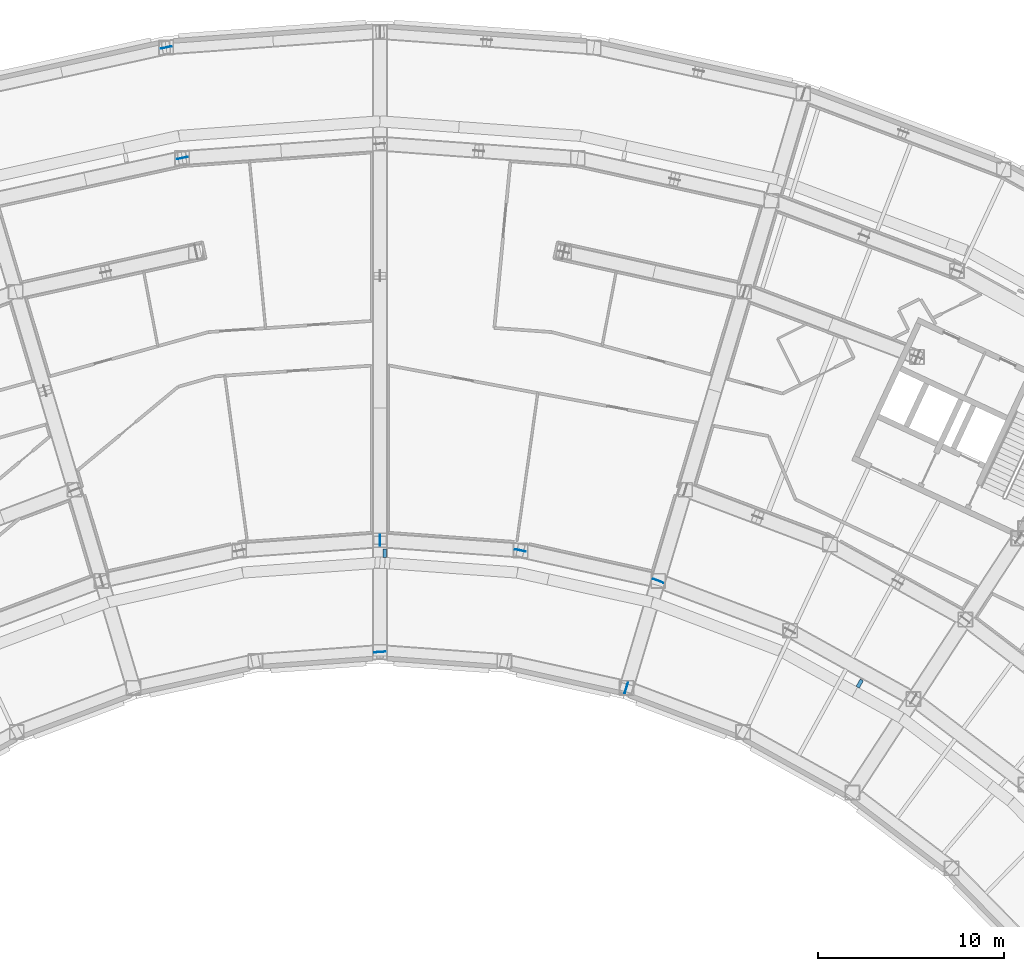
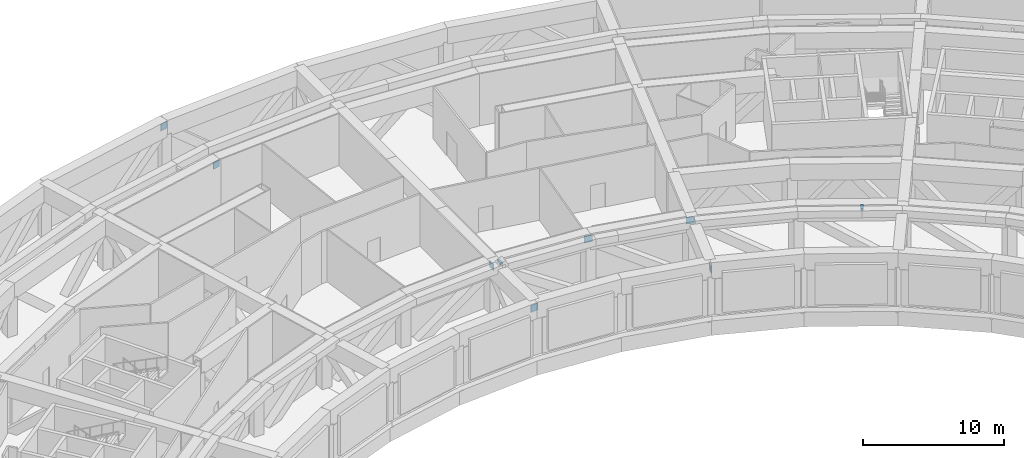
# One storey, part 22 of 30: 9 discrete accessories.
"""IFC4 building model written with IfcOpenShell, lengths in metres."""

from ifc_helpers import new_model, si_unit, direction, frame, origin, origin_2d, place, context, subcontext, project, spatial, rectangle, extrude, material, type_object, element, save


model = new_model("IFC4")

# Units and contexts
model_context = context("Model", 3, precision=1e-05, world=origin(), true_north=direction((0.0, 1.0)))
body_context = subcontext(model_context, "Body", "Model", "MODEL_VIEW")
ifc_project = project(units=[si_unit("LENGTHUNIT", "METRE"), si_unit("AREAUNIT", "SQUARE_METRE"), si_unit("VOLUMEUNIT", "CUBIC_METRE"), si_unit("PLANEANGLEUNIT", "RADIAN"), si_unit("MASSUNIT", "GRAM", prefix="KILO")], contexts=[model_context])

# Site, building, storey
site_placement = place(None, origin())
site = spatial("IfcSite", under=ifc_project, at=site_placement, CompositionType="ELEMENT")
building_placement = place(site_placement, origin())
building = spatial("IfcBuilding", under=site, at=building_placement, Name="Tuul Gate Civic Tower", CompositionType="ELEMENT")
storey_placement = place(building_placement, frame((0.0, 0.0, 26.699951171875)))
storey = spatial("IfcBuildingStorey", under=building, at=storey_placement, Name="Plant and refuge floor 1", CompositionType="ELEMENT", Elevation=26.699951171875)

# Discrete accessories
ifc_material_1 = material(Name="Steel S355", Category="steel")
discrete_accessory_type_1 = type_object("IfcDiscreteAccessoryType", Name="Gusset plate", PredefinedType="BRACKET", material=ifc_material_1)
for number, where, z_axis, x_axis, name in (
    (1, (0.0, -7.45703125, 3.5029296875), (0.0, 0.0, 1.0), (0.0, 1.0, 0.0), "Gusset plate"),
    (2, (13.267578125, -15.4072265625, 3.5029296875), (0.0, 0.0, 1.0), (0.28519561857, 0.958469331355, 0.0), "Gusset plate"),
    (3, (-11.51611328125, 19.080322265625, 3.503173828125), (0.0, 0.0, 1.0), (-0.976566621246, -0.215215320711, 0.0), "Gusset plate"),
    (4, (-10.64892578125, 13.127197265625, 3.50341796875), (0.0, 0.0, 1.0), (-0.97656894253, -0.215204787319, 0.0), "Gusset plate"),
    (5, (0.0, -13.47265625, 3.5029296875), (0.0, 0.0, 1.0), (-0.99738339655, -0.072293570154, 0.0), "Gusset plate"),
    (6, (7.56787109375, -8.005126953125, 3.502685546875), (0.0, 0.0, 1.0), (0.97656368755, -0.215228632292, 0.0), "Gusset plate"),
    (7, (14.982177734375, -9.638427734375, 3.502685546875), (0.0, 0.0, 1.0), (0.935367540469, -0.353677203444, 0.0), "Gusset plate"),
):
    element("IfcDiscreteAccessory", number, at=place(storey_placement, frame(where, z_axis=z_axis, x_axis=x_axis)), inside=storey, type_object=discrete_accessory_type_1, Name=name, PredefinedType="BRACKET", context=body_context, shape_type="SweptSolid", body=[
        extrude(rectangle(XDim=0.60009765625, YDim=0.030029296875, at=origin_2d()), origin(), (0.0, 0.0, 1.0), 0.60009765625),
    ])
ifc_material_2 = material(Name="Stainless steel", Category="steel")
discrete_accessory_type_2 = type_object("IfcDiscreteAccessoryType", Name="Screen bracket", PredefinedType="BRACKET", material=ifc_material_2)
discrete_accessory_1_placement = place(storey_placement, frame((0.264892578125, -8.15380859375, 4.35009765625), z_axis=(0.0, 0.0, 1.0), x_axis=(-0.0051085565, -0.99998695124, 0.0)))
element("IfcDiscreteAccessory", 8, at=discrete_accessory_1_placement, inside=storey, type_object=discrete_accessory_type_2, Name="Screen bracket 25", PredefinedType="BRACKET", context=body_context, shape_type="SweptSolid", body=[
    extrude(rectangle(XDim=0.450927734375, YDim=0.199951171875, at=origin_2d()), origin(), (0.0, 0.0, 1.0), 0.199951171875),
])
discrete_accessory_2_placement = place(storey_placement, frame((25.8359375, -15.174560546875, 4.35009765625), z_axis=(0.0, 0.0, 1.0), x_axis=(-0.49937864513, -0.866383846103, 0.0)))
element("IfcDiscreteAccessory", 9, at=discrete_accessory_2_placement, inside=storey, type_object=discrete_accessory_type_2, Name="Screen bracket 28", PredefinedType="BRACKET", context=body_context, shape_type="SweptSolid", body=[
    extrude(rectangle(XDim=0.4501953125, YDim=0.199951171875, at=origin_2d()), origin(), (0.0, 0.0, 1.0), 0.199951171875),
])

save(model, "model.ifc")
